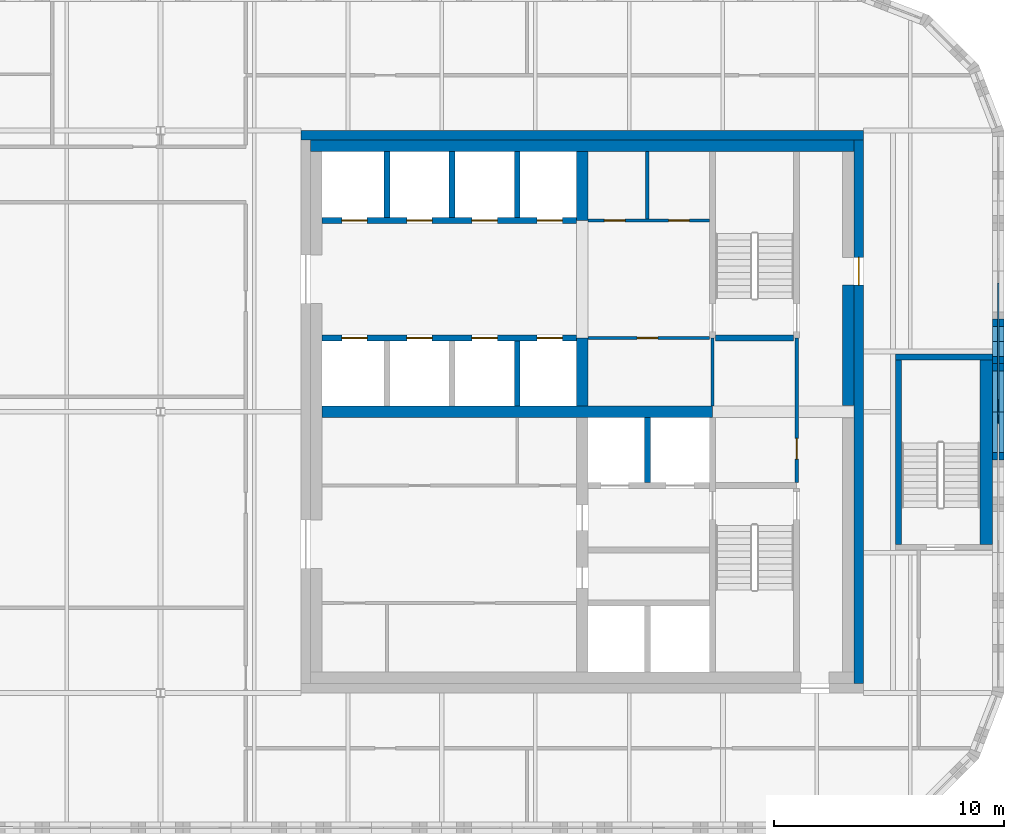
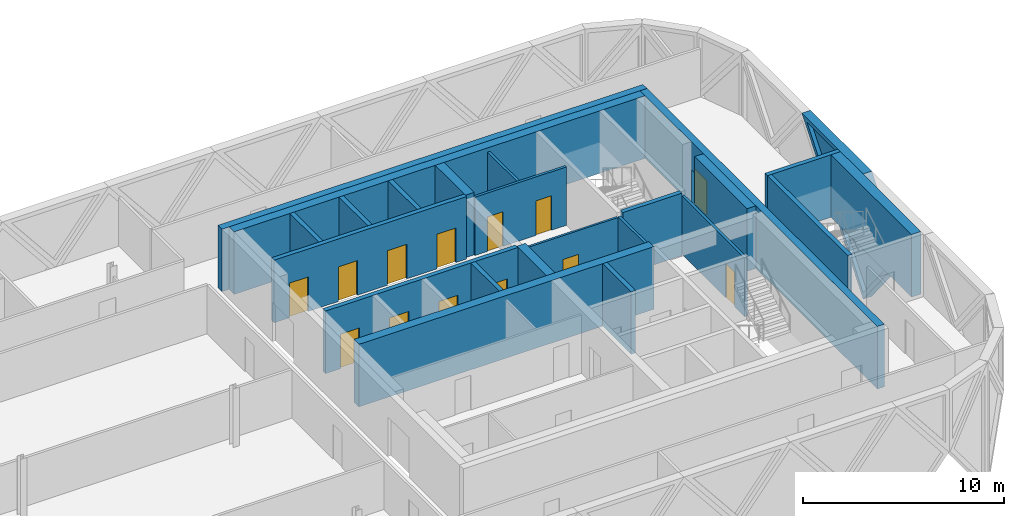
# One storey, part 8 of 12: 25 walls, 13 doors, 2 plates, 15 openings.
"""IFC4 building model written with IfcOpenShell, lengths in metres."""

from ifc_helpers import new_model, si_unit, direction, frame, frame_2d, origin, place, context, subcontext, project, spatial, polyline, rectangle, outline, extrude, faceted_brep, source, transform, mapped, material, layer, layer_set, type_object, element, fill, save


model = new_model("IFC4")

# Units and contexts
model_context = context("Model", 3, precision=1e-05, world=origin(), true_north=direction((0.0, 1.0)))
body_context = subcontext(model_context, "Body", "Model", "MODEL_VIEW")
ifc_project = project(units=[si_unit("LENGTHUNIT", "METRE"), si_unit("AREAUNIT", "SQUARE_METRE"), si_unit("VOLUMEUNIT", "CUBIC_METRE"), si_unit("PLANEANGLEUNIT", "RADIAN"), si_unit("MASSUNIT", "GRAM", prefix="KILO")], contexts=[model_context])

# Site, building, storey
site_placement = place(None, origin())
site = spatial("IfcSite", under=ifc_project, at=site_placement, CompositionType="ELEMENT")
building_placement = place(site_placement, origin())
building = spatial("IfcBuilding", under=site, at=building_placement, Name="Tessera Gate Towers", CompositionType="ELEMENT")
storey_placement = place(building_placement, frame((0.0, 0.0, 255.89990234375)))
storey = spatial("IfcBuildingStorey", under=building, at=storey_placement, Name="L64", CompositionType="ELEMENT", Elevation=255.89990234375)

# Wall, openings, doors
ifc_material_1 = material(Name="Concrete C40/50", Category="concrete")
ifc_layer_1 = layer(ifc_material_1, 0.25)
ifc_layer_set_1 = layer_set([ifc_layer_1], Name="CORE ENCLOSURE WALL 250")
wall_type_1 = type_object("IfcWallType", Name="CORE ENCLOSURE WALL 250", PredefinedType="SOLIDWALL", material=ifc_layer_set_1)
wall_1_placement = place(storey_placement, frame((31.39990234375, 39.800048828125, 0.0), z_axis=(0.0, 0.0, 1.0), x_axis=(1.0, 0.0, 0.0)))
wall_1 = element("IfcWall", 1, at=wall_1_placement, inside=storey, type_object=wall_type_1, Name="L64 shaft and stair enclosure wall", PredefinedType="SOLIDWALL", context=body_context, shape_type="SweptSolid", body=[
    extrude(rectangle(XDim=11.050048828125, YDim=0.25, at=frame_2d((5.52490234375, 0.0))), origin(), (0.0, 0.0, 1.0), 3.800048828125),
])
shared_shape_1 = source(origin(), body_context, "Body", "SweptSolid", [
    extrude(rectangle(XDim=1.10009765625, YDim=2.10009765625, at=frame_2d((0.550048828125, 1.050048828125))), frame((0.0, 0.135009765625, 0.0), z_axis=(0.0, -1.0, 0.0), x_axis=(1.0, 0.0, 0.0)), (0.0, 0.0, 1.0), 0.27001953125),
])
opening_1_placement = place(wall_1_placement, frame((0.862548828125, 0.0, 0.0)))
opening_1 = element("IfcOpeningElement", 2, at=opening_1_placement, cuts=wall_1, Name="Opening LD-HR1", PredefinedType="OPENING", context=body_context, shape_type="MappedRepresentation", body=[
    mapped(shared_shape_1, transform((0.0, 0.0, 0.0), scale=1.0)),
])
opening_2_placement = place(wall_1_placement, frame((3.6875, 0.0, 0.0)))
opening_2 = element("IfcOpeningElement", 3, at=opening_2_placement, cuts=wall_1, Name="Opening LD-HR2", PredefinedType="OPENING", context=body_context, shape_type="MappedRepresentation", body=[
    mapped(shared_shape_1, transform((0.0, 0.0, 0.0), scale=1.0)),
])
opening_3_placement = place(wall_1_placement, frame((6.512451171875, 0.0, 0.0)))
opening_3 = element("IfcOpeningElement", 4, at=opening_3_placement, cuts=wall_1, Name="Opening LD-HR3", PredefinedType="OPENING", context=body_context, shape_type="MappedRepresentation", body=[
    mapped(shared_shape_1, transform((0.0, 0.0, 0.0), scale=1.0)),
])
opening_4_placement = place(wall_1_placement, frame((9.33740234375, 0.0, 0.0)))
opening_4 = element("IfcOpeningElement", 5, at=opening_4_placement, cuts=wall_1, Name="Opening LD-HR4", PredefinedType="OPENING", context=body_context, shape_type="MappedRepresentation", body=[
    mapped(shared_shape_1, transform((0.0, 0.0, 0.0), scale=1.0)),
])
ifc_material_2 = material(Name="Stainless steel", Category="steel")
door_type_1 = type_object("IfcDoorType", Name="CORE DOOR LD 1100x2100", OperationType="DOUBLE_DOOR_SLIDING", PredefinedType="DOOR", material=ifc_material_2)
shared_shape_2 = source(origin(), body_context, "Body", "SweptSolid", [
    extrude(rectangle(XDim=1.10009765625, YDim=2.10009765625, at=frame_2d((0.550048828125, 1.050048828125))), frame((0.0, 0.02490234375, 0.0), z_axis=(0.0, -1.0, 0.0), x_axis=(1.0, 0.0, 0.0)), (0.0, 0.0, 1.0), 0.050048828125),
])
door_1_placement = place(opening_1_placement, origin())
door_1 = element("IfcDoor", 6, at=door_1_placement, inside=storey, type_object=door_type_1, Name="Landing door HR1 L64", OperationType="DOUBLE_DOOR_SLIDING", OverallHeight=2.10009765625, OverallWidth=1.10009765625, PredefinedType="DOOR", context=body_context, shape_type="MappedRepresentation", body=[
    mapped(shared_shape_2, transform((0.0, 0.0, 0.0), scale=1.0)),
])
fill(opening_1, door_1)
door_2_placement = place(opening_2_placement, origin())
door_2 = element("IfcDoor", 7, at=door_2_placement, inside=storey, type_object=door_type_1, Name="Landing door HR2 L64", OperationType="DOUBLE_DOOR_SLIDING", OverallHeight=2.10009765625, OverallWidth=1.10009765625, PredefinedType="DOOR", context=body_context, shape_type="MappedRepresentation", body=[
    mapped(shared_shape_2, transform((0.0, 0.0, 0.0), scale=1.0)),
])
fill(opening_2, door_2)
door_3_placement = place(opening_3_placement, origin())
door_3 = element("IfcDoor", 8, at=door_3_placement, inside=storey, type_object=door_type_1, Name="Landing door HR3 L64", OperationType="DOUBLE_DOOR_SLIDING", OverallHeight=2.10009765625, OverallWidth=1.10009765625, PredefinedType="DOOR", context=body_context, shape_type="MappedRepresentation", body=[
    mapped(shared_shape_2, transform((0.0, 0.0, 0.0), scale=1.0)),
])
fill(opening_3, door_3)
door_4_placement = place(opening_4_placement, origin())
door_4 = element("IfcDoor", 9, at=door_4_placement, inside=storey, type_object=door_type_1, Name="Landing door HR4 L64", OperationType="DOUBLE_DOOR_SLIDING", OverallHeight=2.10009765625, OverallWidth=1.10009765625, PredefinedType="DOOR", context=body_context, shape_type="MappedRepresentation", body=[
    mapped(shared_shape_2, transform((0.0, 0.0, 0.0), scale=1.0)),
])
fill(opening_4, door_4)

wall_2_placement = place(storey_placement, frame((42.449951171875, 44.89990234375, 0.0), z_axis=(0.0, 0.0, 1.0), x_axis=(-1.0, 0.0, 0.0)))
wall_2 = element("IfcWall", 10, at=wall_2_placement, inside=storey, type_object=wall_type_1, Name="L64 shaft and stair enclosure wall", PredefinedType="SOLIDWALL", context=body_context, shape_type="SweptSolid", body=[
    extrude(rectangle(XDim=11.050048828125, YDim=0.25, at=frame_2d((5.52490234375, 0.0))), origin(), (0.0, 0.0, 1.0), 3.800048828125),
])
opening_5_placement = place(wall_2_placement, frame((9.08740234375, 0.0, 0.0)))
opening_5 = element("IfcOpeningElement", 11, at=opening_5_placement, cuts=wall_2, Name="Opening LD-HR5", PredefinedType="OPENING", context=body_context, shape_type="MappedRepresentation", body=[
    mapped(shared_shape_1, transform((0.0, 0.0, 0.0), scale=1.0)),
])
opening_6_placement = place(wall_2_placement, frame((6.262451171875, 0.0, 0.0)))
opening_6 = element("IfcOpeningElement", 12, at=opening_6_placement, cuts=wall_2, Name="Opening LD-HR6", PredefinedType="OPENING", context=body_context, shape_type="MappedRepresentation", body=[
    mapped(shared_shape_1, transform((0.0, 0.0, 0.0), scale=1.0)),
])
opening_7_placement = place(wall_2_placement, frame((3.4375, 0.0, 0.0)))
opening_7 = element("IfcOpeningElement", 13, at=opening_7_placement, cuts=wall_2, Name="Opening LD-HR7", PredefinedType="OPENING", context=body_context, shape_type="MappedRepresentation", body=[
    mapped(shared_shape_1, transform((0.0, 0.0, 0.0), scale=1.0)),
])
opening_8_placement = place(wall_2_placement, frame((0.612548828125, 0.0, 0.0)))
opening_8 = element("IfcOpeningElement", 14, at=opening_8_placement, cuts=wall_2, Name="Opening LD-HR8", PredefinedType="OPENING", context=body_context, shape_type="MappedRepresentation", body=[
    mapped(shared_shape_1, transform((0.0, 0.0, 0.0), scale=1.0)),
])
door_5_placement = place(opening_5_placement, origin())
door_5 = element("IfcDoor", 15, at=door_5_placement, inside=storey, type_object=door_type_1, Name="Landing door HR5 L64", OperationType="DOUBLE_DOOR_SLIDING", OverallHeight=2.10009765625, OverallWidth=1.10009765625, PredefinedType="DOOR", context=body_context, shape_type="MappedRepresentation", body=[
    mapped(shared_shape_2, transform((0.0, 0.0, 0.0), scale=1.0)),
])
fill(opening_5, door_5)
door_6_placement = place(opening_6_placement, origin())
door_6 = element("IfcDoor", 16, at=door_6_placement, inside=storey, type_object=door_type_1, Name="Landing door HR6 L64", OperationType="DOUBLE_DOOR_SLIDING", OverallHeight=2.10009765625, OverallWidth=1.10009765625, PredefinedType="DOOR", context=body_context, shape_type="MappedRepresentation", body=[
    mapped(shared_shape_2, transform((0.0, 0.0, 0.0), scale=1.0)),
])
fill(opening_6, door_6)
door_7_placement = place(opening_7_placement, origin())
door_7 = element("IfcDoor", 17, at=door_7_placement, inside=storey, type_object=door_type_1, Name="Landing door HR7 L64", OperationType="DOUBLE_DOOR_SLIDING", OverallHeight=2.10009765625, OverallWidth=1.10009765625, PredefinedType="DOOR", context=body_context, shape_type="MappedRepresentation", body=[
    mapped(shared_shape_2, transform((0.0, 0.0, 0.0), scale=1.0)),
])
fill(opening_7, door_7)
door_8_placement = place(opening_8_placement, origin())
door_8 = element("IfcDoor", 18, at=door_8_placement, inside=storey, type_object=door_type_1, Name="Landing door HR8 L64", OperationType="DOUBLE_DOOR_SLIDING", OverallHeight=2.10009765625, OverallWidth=1.10009765625, PredefinedType="DOOR", context=body_context, shape_type="MappedRepresentation", body=[
    mapped(shared_shape_2, transform((0.0, 0.0, 0.0), scale=1.0)),
])
fill(opening_8, door_8)

# Walls
wall_3_placement = place(storey_placement, frame((48.47509765625, 39.800048828125, 0.0), z_axis=(0.0, 0.0, 1.0), x_axis=(1.0, 0.0, 0.0)))
element("IfcWall", 19, at=wall_3_placement, inside=storey, type_object=wall_type_1, Name="L64 shaft and stair enclosure wall", PredefinedType="SOLIDWALL", context=body_context, shape_type="SweptSolid", body=[
    extrude(rectangle(XDim=3.39990234375, YDim=0.25, at=frame_2d((1.699951171875, 0.0))), origin(), (0.0, 0.0, 1.0), 3.800048828125),
])
wall_4_placement = place(storey_placement, frame((39.875, 36.85009765625, 0.0), z_axis=(0.0, 0.0, 1.0), x_axis=(0.0, 1.0, 0.0)))
element("IfcWall", 20, at=wall_4_placement, inside=storey, type_object=wall_type_1, Name="L64 shaft and stair enclosure wall", PredefinedType="SOLIDWALL", context=body_context, shape_type="SweptSolid", body=[
    extrude(rectangle(XDim=2.824951171875, YDim=0.25, at=frame_2d((1.41259765625, 0.0))), origin(), (0.0, 0.0, 1.0), 3.800048828125),
])
wall_5_placement = place(storey_placement, frame((45.52490234375, 33.52490234375, 0.0), z_axis=(0.0, 0.0, 1.0), x_axis=(0.0, 1.0, 0.0)))
element("IfcWall", 21, at=wall_5_placement, inside=storey, type_object=wall_type_1, Name="L64 shaft and stair enclosure wall", PredefinedType="SOLIDWALL", context=body_context, shape_type="SweptSolid", body=[
    extrude(rectangle(XDim=2.8251953125, YDim=0.25, at=frame_2d((1.41259765625, 0.0))), origin(), (0.0, 0.0, 1.0), 3.800048828125),
])
for number, where, z_axis, x_axis, name in (
    (22, (34.22509765625, 45.02490234375, 0.0), (0.0, 0.0, 1.0), (0.0, 1.0, 0.0), "L64 shaft and stair enclosure wall"),
    (23, (37.050048828125, 45.02490234375, 0.0), (0.0, 0.0, 1.0), (0.0, 1.0, 0.0), "L64 shaft and stair enclosure wall"),
    (24, (39.875, 45.02490234375, 0.0), (0.0, 0.0, 1.0), (0.0, 1.0, 0.0), "L64 shaft and stair enclosure wall"),
):
    element("IfcWall", number, at=place(storey_placement, frame(where, z_axis=z_axis, x_axis=x_axis)), inside=storey, type_object=wall_type_1, Name=name, PredefinedType="SOLIDWALL", context=body_context, shape_type="SweptSolid", body=[
        extrude(rectangle(XDim=2.875, YDim=0.25, at=frame_2d((1.4375, 0.0))), origin(), (0.0, 0.0, 1.0), 3.800048828125),
    ])
wall_6_placement = place(storey_placement, frame((56.425048828125, 30.85009765625, 0.0), z_axis=(0.0, 0.0, 1.0), x_axis=(0.0, 1.0, 0.0)))
element("IfcWall", 25, at=wall_6_placement, inside=storey, type_object=wall_type_1, Name="L64 ST5 enclosure wall", PredefinedType="SOLIDWALL", context=body_context, shape_type="SweptSolid", body=[
    extrude(rectangle(XDim=8.0, YDim=0.25, at=frame_2d((4.0, 0.0))), origin(), (0.0, 0.0, 1.0), 3.800048828125),
])
wall_7_placement = place(storey_placement, frame((56.300048828125, 38.97509765625, 0.0), z_axis=(0.0, 0.0, 1.0), x_axis=(1.0, 0.0, 0.0)))
element("IfcWall", 26, at=wall_7_placement, inside=storey, type_object=wall_type_1, Name="L64 ST5 enclosure wall", PredefinedType="SOLIDWALL", context=body_context, shape_type="SweptSolid", body=[
    extrude(rectangle(XDim=4.199951171875, YDim=0.25, at=frame_2d((2.10009765625, 0.0))), origin(), (0.0, 0.0, 1.0), 3.800048828125),
])
ifc_material_3 = material(Name="Concrete C40/50", Category="concrete")
ifc_layer_2 = layer(ifc_material_3, 0.550048828125)
ifc_layer_set_2 = layer_set([ifc_layer_2], Name="CORE ENCLOSURE WALL 550")
wall_type_2 = type_object("IfcWallType", Name="CORE ENCLOSURE WALL 550", PredefinedType="SOLIDWALL", material=ifc_layer_set_2)
wall_8_placement = place(storey_placement, frame((60.22509765625, 38.85009765625, 0.0), z_axis=(0.0, 0.0, 1.0), x_axis=(0.0, -1.0, 0.0)))
element("IfcWall", 27, at=wall_8_placement, inside=storey, type_object=wall_type_2, Name="L64 ST5 enclosure wall", PredefinedType="SOLIDWALL", context=body_context, shape_type="SweptSolid", body=[
    extrude(rectangle(XDim=8.0, YDim=0.550048828125, at=frame_2d((4.0, 0.0))), origin(), (0.0, 0.0, 1.0), 3.800048828125),
])

# Wall, opening, door
ifc_material_4 = material(Name="Gypsum board on steel studs", Category="steel")
ifc_layer_3 = layer(ifc_material_4, 0.1201171875)
ifc_layer_set_3 = layer_set([ifc_layer_3], Name="CORE PARTITION 120")
wall_type_3 = type_object("IfcWallType", Name="CORE PARTITION 120", PredefinedType="PARTITIONING", material=ifc_layer_set_3)
wall_9_placement = place(storey_placement, frame((48.22509765625, 39.800048828125, 0.0), z_axis=(0.0, 0.0, 1.0), x_axis=(-1.0, 0.0, 0.0)))
wall_9 = element("IfcWall", 28, at=wall_9_placement, inside=storey, type_object=wall_type_3, Name="L64 core partition", PredefinedType="PARTITIONING", context=body_context, shape_type="SweptSolid", body=[
    extrude(rectangle(XDim=5.275146484375, YDim=0.1201171875, at=frame_2d((2.6376953125, 0.0))), origin(), (0.0, 0.0, 1.0), 3.550048828125),
])
shared_shape_3 = source(origin(), body_context, "Body", "SweptSolid", [
    extrude(rectangle(XDim=0.89990234375, YDim=2.10009765625, at=frame_2d((0.449951171875, 1.050048828125))), frame((0.0, 0.070068359375, 0.0), z_axis=(0.0, -1.0, 0.0), x_axis=(1.0, 0.0, 0.0)), (0.0, 0.0, 1.0), 0.14013671875),
])
opening_9_placement = place(wall_9_placement, frame((2.25, 0.0, 0.0)))
opening_9 = element("IfcOpeningElement", 29, at=opening_9_placement, cuts=wall_9, Name="Opening RD-T1-38-12", PredefinedType="OPENING", context=body_context, shape_type="MappedRepresentation", body=[
    mapped(shared_shape_3, transform((0.0, 0.0, 0.0), scale=1.0)),
])
ifc_material_5 = material(Name="Hollow steel fire door", Category="steel")
door_type_2 = type_object("IfcDoorType", Name="CORE DOOR RD 900x2100", OperationType="NOTDEFINED", PredefinedType="DOOR", material=ifc_material_5)
shared_shape_4 = source(origin(), body_context, "Body", "SweptSolid", [
    extrude(rectangle(XDim=0.89990234375, YDim=2.10009765625, at=frame_2d((0.449951171875, 1.050048828125))), frame((0.0, 0.02490234375, 0.0), z_axis=(0.0, -1.0, 0.0), x_axis=(1.0, 0.0, 0.0)), (0.0, 0.0, 1.0), 0.050048828125),
])
door_9_placement = place(opening_9_placement, origin())
door_9 = element("IfcDoor", 30, at=door_9_placement, inside=storey, type_object=door_type_2, Name="Core room door", OperationType="SINGLE_SWING_RIGHT", OverallHeight=2.10009765625, OverallWidth=0.89990234375, PredefinedType="DOOR", context=body_context, shape_type="MappedRepresentation", body=[
    mapped(shared_shape_4, transform((0.0, 0.0, 0.0), scale=1.0)),
])
fill(opening_9, door_9)

# Wall
ifc_material_6 = material(Name="Concrete C40/50", Category="concrete")
ifc_layer_4 = layer(ifc_material_6, 0.39990234375)
ifc_layer_set_4 = layer_set([ifc_layer_4], Name="CORE SHEAR WALL 400 C40/50")
wall_type_4 = type_object("IfcWallType", Name="CORE SHEAR WALL 400 C40/50", PredefinedType="SHEAR", material=ifc_layer_set_4)
wall_10_placement = place(storey_placement, frame((30.5, 48.60009765625, 0.0), z_axis=(0.0, 0.0, 1.0), x_axis=(1.0, 0.0, 0.0)))
element("IfcWall", 31, at=wall_10_placement, inside=storey, type_object=wall_type_4, Name="Core wall N L64", PredefinedType="SHEAR", context=body_context, shape_type="SweptSolid", body=[
    extrude(rectangle(XDim=24.39990234375, YDim=0.39990234375, at=frame_2d((12.199951171875, 0.0))), origin(), (0.0, 0.0, 1.0), 3.800048828125),
])

# Wall, opening, door
wall_11_placement = place(storey_placement, frame((54.699951171875, 48.39990234375, 0.0), z_axis=(0.0, 0.0, 1.0), x_axis=(0.0, -1.0, 0.0)))
wall_11 = element("IfcWall", 32, at=wall_11_placement, inside=storey, type_object=wall_type_4, Name="Core wall E L64", PredefinedType="SHEAR", context=body_context, shape_type="SweptSolid", body=[
    extrude(rectangle(XDim=23.599853515625, YDim=0.39990234375, at=frame_2d((11.7998046875, 0.0))), origin(), (0.0, 0.0, 1.0), 3.800048828125),
])
shared_shape_5 = source(origin(), body_context, "Body", "SweptSolid", [
    extrude(rectangle(XDim=1.199951171875, YDim=2.10009765625, at=frame_2d((0.60009765625, 1.050048828125))), frame((0.0, 0.2099609375, 0.0), z_axis=(0.0, -1.0, 0.0), x_axis=(1.0, 0.0, 0.0)), (0.0, 0.0, 1.0), 0.419921875),
])
opening_10_placement = place(wall_11_placement, frame((5.10009765625, 0.0, 0.0)))
opening_10 = element("IfcOpeningElement", 33, at=opening_10_placement, cuts=wall_11, Name="Opening ED-T1-38-04", PredefinedType="OPENING", context=body_context, shape_type="MappedRepresentation", body=[
    mapped(shared_shape_5, transform((0.0, 0.0, 0.0), scale=1.0)),
])
ifc_material_7 = material(Name="Hollow steel fire door", Category="steel")
door_type_3 = type_object("IfcDoorType", Name="CORE DOOR ED 1200x2100", OperationType="NOTDEFINED", PredefinedType="DOOR", material=ifc_material_7)
shared_shape_6 = source(origin(), body_context, "Body", "SweptSolid", [
    extrude(rectangle(XDim=1.199951171875, YDim=2.10009765625, at=frame_2d((0.60009765625, 1.050048828125))), frame((0.0, 0.02490234375, 0.0), z_axis=(0.0, -1.0, 0.0), x_axis=(1.0, 0.0, 0.0)), (0.0, 0.0, 1.0), 0.050048828125),
])
door_10_placement = place(opening_10_placement, origin())
door_10 = element("IfcDoor", 34, at=door_10_placement, inside=storey, type_object=door_type_3, Name="Core exit door", OperationType="SINGLE_SWING_LEFT", OverallHeight=2.10009765625, OverallWidth=1.199951171875, PredefinedType="DOOR", context=body_context, shape_type="MappedRepresentation", body=[
    mapped(shared_shape_6, transform((0.0, 0.0, 0.0), scale=1.0)),
])
fill(opening_10, door_10)

# Walls
ifc_material_8 = material(Name="Concrete C40/50", Category="concrete")
ifc_layer_5 = layer(ifc_material_8, 0.5)
ifc_layer_set_5 = layer_set([ifc_layer_5], Name="CORE SPINE WALL 500 C40/50")
wall_type_5 = type_object("IfcWallType", Name="CORE SPINE WALL 500 C40/50", PredefinedType="SHEAR", material=ifc_layer_set_5)
wall_12_placement = place(storey_placement, frame((31.39990234375, 36.60009765625, 0.0), z_axis=(0.0, 0.0, 1.0), x_axis=(1.0, 0.0, 0.0)))
element("IfcWall", 35, at=wall_12_placement, inside=storey, type_object=wall_type_5, Name="Core wall spine L64", PredefinedType="SHEAR", context=body_context, shape_type="SweptSolid", body=[
    extrude(rectangle(XDim=16.9501953125, YDim=0.5, at=frame_2d((8.47509765625, 0.0))), origin(), (0.0, 0.0, 1.0), 3.800048828125),
])
wall_13_placement = place(storey_placement, frame((42.699951171875, 36.85009765625, 0.0), z_axis=(0.0, 0.0, 1.0), x_axis=(0.0, 1.0, 0.0)))
element("IfcWall", 36, at=wall_13_placement, inside=storey, type_object=wall_type_5, Name="Core wall spine L64", PredefinedType="SHEAR", context=body_context, shape_type="SweptSolid", body=[
    extrude(rectangle(XDim=2.949951171875, YDim=0.5, at=frame_2d((1.47509765625, 0.0))), origin(), (0.0, 0.0, 1.0), 3.800048828125),
])
wall_14_placement = place(storey_placement, frame((42.699951171875, 44.89990234375, 0.0), z_axis=(0.0, 0.0, 1.0), x_axis=(0.0, 1.0, 0.0)))
element("IfcWall", 37, at=wall_14_placement, inside=storey, type_object=wall_type_5, Name="Core wall spine L64", PredefinedType="SHEAR", context=body_context, shape_type="SweptSolid", body=[
    extrude(rectangle(XDim=3.0, YDim=0.5, at=frame_2d((1.5, 0.0))), origin(), (0.0, 0.0, 1.0), 3.800048828125),
])
ifc_material_9 = material(Name="Concrete C40/50", Category="concrete")
ifc_layer_6 = layer(ifc_material_9, 0.5)
ifc_layer_set_6 = layer_set([ifc_layer_6], Name="CORE WALL THICKENING 500")
wall_type_6 = type_object("IfcWallType", Name="CORE WALL THICKENING 500", PredefinedType="SOLIDWALL", material=ifc_layer_set_6)
wall_15_placement = place(storey_placement, frame((30.89990234375, 48.14990234375, 0.0), z_axis=(0.0, 0.0, 1.0), x_axis=(1.0, 0.0, 0.0)))
element("IfcWall", 38, at=wall_15_placement, inside=storey, type_object=wall_type_6, Name="Core wall thickening N L64", PredefinedType="SOLIDWALL", context=body_context, shape_type="SweptSolid", body=[
    extrude(rectangle(XDim=23.60009765625, YDim=0.5, at=frame_2d((11.800048828125, 0.0))), origin(), (0.0, 0.0, 1.0), 3.800048828125),
])
wall_16_placement = place(storey_placement, frame((54.25, 36.8798828125, 0.0), z_axis=(0.0, 0.0, 1.0), x_axis=(0.0, 1.0, 0.0)))
element("IfcWall", 39, at=wall_16_placement, inside=storey, type_object=wall_type_6, Name="Core wall thickening E L64", PredefinedType="SOLIDWALL", context=body_context, shape_type="SweptSolid", body=[
    extrude(rectangle(XDim=5.22021484375, YDim=0.5, at=frame_2d((2.610107421875, 0.0))), origin(), (0.0, 0.0, 1.0), 3.800048828125),
])

# Wall, opening, door
ifc_material_10 = material(Name="Gypsum board on steel studs", Category="steel")
ifc_layer_7 = layer(ifc_material_10, 0.14990234375)
ifc_layer_set_7 = layer_set([ifc_layer_7], Name="SERVICE ROOM WALL 150")
wall_type_7 = type_object("IfcWallType", Name="SERVICE ROOM WALL 150", PredefinedType="PARTITIONING", material=ifc_layer_set_7)
wall_17_placement = place(storey_placement, frame((52.0, 33.52490234375, 0.0), z_axis=(0.0, 0.0, 1.0), x_axis=(0.0, 1.0, 0.0)))
wall_17 = element("IfcWall", 40, at=wall_17_placement, inside=storey, type_object=wall_type_7, Name="L64 service room wall", PredefinedType="PARTITIONING", context=body_context, shape_type="SweptSolid", body=[
    extrude(rectangle(XDim=6.275146484375, YDim=0.14990234375, at=frame_2d((3.1376953125, 0.0))), origin(), (0.0, 0.0, 1.0), 3.550048828125),
])
shared_shape_7 = source(origin(), body_context, "Body", "SweptSolid", [
    extrude(rectangle(XDim=0.89990234375, YDim=2.10009765625, at=frame_2d((0.449951171875, 1.050048828125))), frame((0.0, 0.0849609375, 0.0), z_axis=(0.0, -1.0, 0.0), x_axis=(1.0, 0.0, 0.0)), (0.0, 0.0, 1.0), 0.169921875),
])
opening_11_placement = place(wall_17_placement, frame((1.02490234375, 0.0, 0.0)))
opening_11 = element("IfcOpeningElement", 41, at=opening_11_placement, cuts=wall_17, Name="Opening RD-T1-38-11", PredefinedType="OPENING", context=body_context, shape_type="MappedRepresentation", body=[
    mapped(shared_shape_7, transform((0.0, 0.0, 0.0), scale=1.0)),
])
door_11_placement = place(opening_11_placement, origin())
door_11 = element("IfcDoor", 42, at=door_11_placement, inside=storey, type_object=door_type_2, Name="Core room door", OperationType="SINGLE_SWING_LEFT", OverallHeight=2.10009765625, OverallWidth=0.89990234375, PredefinedType="DOOR", context=body_context, shape_type="MappedRepresentation", body=[
    mapped(shared_shape_4, transform((0.0, 0.0, 0.0), scale=1.0)),
])
fill(opening_11, door_11)

# Wall, openings, doors
wall_18_placement = place(storey_placement, frame((42.949951171875, 44.89990234375, 0.0), z_axis=(0.0, 0.0, 1.0), x_axis=(1.0, 0.0, 0.0)))
wall_18 = element("IfcWall", 43, at=wall_18_placement, inside=storey, type_object=wall_type_7, Name="L64 service room wall", PredefinedType="PARTITIONING", context=body_context, shape_type="SweptSolid", body=[
    extrude(rectangle(XDim=5.275146484375, YDim=0.14990234375, at=frame_2d((2.6376953125, 0.0))), origin(), (0.0, 0.0, 1.0), 3.550048828125),
])
opening_12_placement = place(wall_18_placement, frame((0.71240234375, 0.0, 0.0)))
opening_12 = element("IfcOpeningElement", 44, at=opening_12_placement, cuts=wall_18, Name="Opening RD-T1-38-13", PredefinedType="OPENING", context=body_context, shape_type="MappedRepresentation", body=[
    mapped(shared_shape_7, transform((0.0, 0.0, 0.0), scale=1.0)),
])
opening_13_placement = place(wall_18_placement, frame((3.5, 0.0, 0.0)))
opening_13 = element("IfcOpeningElement", 45, at=opening_13_placement, cuts=wall_18, Name="Opening RD-T1-38-14", PredefinedType="OPENING", context=body_context, shape_type="MappedRepresentation", body=[
    mapped(shared_shape_7, transform((0.0, 0.0, 0.0), scale=1.0)),
])
door_12_placement = place(opening_12_placement, origin())
door_12 = element("IfcDoor", 46, at=door_12_placement, inside=storey, type_object=door_type_2, Name="Core room door", OperationType="SINGLE_SWING_LEFT", OverallHeight=2.10009765625, OverallWidth=0.89990234375, PredefinedType="DOOR", context=body_context, shape_type="MappedRepresentation", body=[
    mapped(shared_shape_4, transform((0.0, 0.0, 0.0), scale=1.0)),
])
fill(opening_12, door_12)
door_13_placement = place(opening_13_placement, origin())
door_13 = element("IfcDoor", 47, at=door_13_placement, inside=storey, type_object=door_type_2, Name="Core room door", OperationType="SINGLE_SWING_RIGHT", OverallHeight=2.10009765625, OverallWidth=0.89990234375, PredefinedType="DOOR", context=body_context, shape_type="MappedRepresentation", body=[
    mapped(shared_shape_4, transform((0.0, 0.0, 0.0), scale=1.0)),
])
fill(opening_13, door_13)

# Walls
wall_19_placement = place(storey_placement, frame((48.35009765625, 36.85009765625, 0.0), z_axis=(0.0, 0.0, 1.0), x_axis=(0.0, 1.0, 0.0)))
element("IfcWall", 48, at=wall_19_placement, inside=storey, type_object=wall_type_7, Name="L64 service room wall", PredefinedType="PARTITIONING", context=body_context, shape_type="SweptSolid", body=[
    extrude(rectangle(XDim=2.949951171875, YDim=0.14990234375, at=frame_2d((1.47509765625, 0.0))), origin(), (0.0, 0.0, 1.0), 3.550048828125),
])
wall_20_placement = place(storey_placement, frame((45.52490234375, 44.97509765625, 0.0), z_axis=(0.0, 0.0, 1.0), x_axis=(0.0, 1.0, 0.0)))
element("IfcWall", 49, at=wall_20_placement, inside=storey, type_object=wall_type_7, Name="L64 service room wall", PredefinedType="PARTITIONING", context=body_context, shape_type="SweptSolid", body=[
    extrude(rectangle(XDim=2.9248046875, YDim=0.14990234375, at=frame_2d((1.46240234375, 0.0))), origin(), (0.0, 0.0, 1.0), 3.550048828125),
])

# Wall, opening, plate
ifc_material_11 = material(Name="Precast concrete C60/75 white", Category="concrete")
ifc_layer_8 = layer(ifc_material_11, 0.5)
ifc_layer_set_8 = layer_set([ifc_layer_8], Name="TS1 tessera")
wall_type_8 = type_object("IfcWallType", Name="TS1 tessera", PredefinedType="SOLIDWALL", material=ifc_layer_set_8)
shared_shape_8 = source(origin(), body_context, "Body", "Brep", [
    faceted_brep([(3.050048828125, -0.25, 0.0), (6.099853515625, -0.25, 3.799560546875), (6.099853515625, -0.25, 3.800048828125), (3.050048828125, -0.25, 7.599853515625), (0.0, -0.25, 3.7998046875), (0.0, 0.25, 3.7998046875), (3.050048828125, 0.25, 7.599853515625), (6.099853515625, 0.25, 3.800048828125), (6.099853515625, 0.25, 3.799560546875), (3.050048828125, 0.25, 0.0)], [[[0, 1, 2, 3, 4]], [[5, 6, 7, 8, 9]], [[9, 8, 1, 0]], [[7, 6, 3, 2]], [[6, 5, 4, 3]], [[5, 9, 0, 4]], [[1, 8, 7, 2]]]),
])
wall_21_placement = place(storey_placement, frame((60.75, 33.550048828125, -3.7998046875), z_axis=(0.0, 0.0, 1.0), x_axis=(0.0, 1.0, 0.0)))
wall_21 = element("IfcWall", 50, at=wall_21_placement, inside=storey, type_object=wall_type_8, Name="Precast tessera T1 TS1-1132", PredefinedType="SOLIDWALL", context=body_context, shape_type="MappedRepresentation", body=[
    mapped(shared_shape_8, transform((0.0, 0.0, 0.0), scale=1.0)),
])
shared_shape_9 = source(origin(), body_context, "Body", "SweptSolid", [
    extrude(outline(polyline([(3.050048828125, 0.3994140625), (5.779541015625, 3.7998046875), (3.050048828125, 7.200439453125), (0.320556640625, 3.7998046875), (3.050048828125, 0.3994140625)])), frame((0.0, 0.260009765625, 0.0), z_axis=(0.0, -1.0, 0.0), x_axis=(1.0, 0.0, 0.0)), (0.0, 0.0, 1.0), 0.52001953125),
])
opening_14_placement = place(wall_21_placement, origin())
opening_14 = element("IfcOpeningElement", 51, at=opening_14_placement, cuts=wall_21, Name="Opening T1-PL2-2284", PredefinedType="OPENING", context=body_context, shape_type="MappedRepresentation", body=[
    mapped(shared_shape_9, transform((0.0, 0.0, 0.0), scale=1.0)),
])
ifc_material_12 = material(Name="Low-e laminated glass", Category="glass")
ifc_layer_9 = layer(ifc_material_12, 0.06005859375)
ifc_layer_set_9 = layer_set([ifc_layer_9], Name="PL2 rhombic pane")
plate_type_1 = type_object("IfcPlateType", Name="PL2 rhombic pane", PredefinedType="SHEET", material=ifc_layer_set_9)
shared_shape_10 = source(origin(), body_context, "Body", "SweptSolid", [
    extrude(outline(polyline([(3.050048828125, 0.3994140625), (5.779541015625, 3.7998046875), (3.050048828125, 7.200439453125), (0.320556640625, 3.7998046875), (3.050048828125, 0.3994140625)])), frame((0.0, 0.030029296875, 0.0), z_axis=(0.0, -1.0, 0.0), x_axis=(1.0, 0.0, 0.0)), (0.0, 0.0, 1.0), 0.06005859375),
])
plate_1_placement = place(opening_14_placement, origin())
plate_1 = element("IfcPlate", 52, at=plate_1_placement, inside=storey, type_object=plate_type_1, Name="Glass pane T1 PL2-2284", PredefinedType="SHEET", context=body_context, shape_type="MappedRepresentation", body=[
    mapped(shared_shape_10, transform((0.0, 0.0, 0.0), scale=1.0)),
])
fill(opening_14, plate_1)

ifc_material_13 = material(Name="Precast concrete C60/75 white", Category="concrete")
ifc_layer_10 = layer(ifc_material_13, 0.5)
ifc_layer_set_10 = layer_set([ifc_layer_10], Name="TS2 half tessera")
wall_type_9 = type_object("IfcWallType", Name="TS2 half tessera", PredefinedType="SOLIDWALL", material=ifc_layer_set_10)
shared_shape_11 = source(origin(), body_context, "Body", "Brep", [
    faceted_brep([(3.050048828125, -0.25, 0.0), (6.099853515625, -0.25, 3.7998046875), (6.099853515625, -0.25, 3.800048828125), (0.0, -0.25, 3.800048828125), (0.0, 0.25, 3.800048828125), (6.099853515625, 0.25, 3.800048828125), (6.099853515625, 0.25, 3.7998046875), (3.050048828125, 0.25, 0.0)], [[[0, 1, 2, 3]], [[4, 5, 6, 7]], [[7, 6, 1, 0]], [[5, 4, 3, 2]], [[4, 7, 0, 3]], [[1, 6, 5, 2]]]),
])
wall_22_placement = place(storey_placement, frame((60.75, 36.60009765625, 0.0), z_axis=(0.0, 0.0, 1.0), x_axis=(0.0, 1.0, 0.0)))
wall_22 = element("IfcWall", 53, at=wall_22_placement, inside=storey, type_object=wall_type_9, Name="Precast half tessera T1 TS2-0307", PredefinedType="SOLIDWALL", context=body_context, shape_type="MappedRepresentation", body=[
    mapped(shared_shape_11, transform((0.0, 0.0, 0.0), scale=1.0)),
])
shared_shape_12 = source(origin(), body_context, "Body", "SweptSolid", [
    extrude(outline(polyline([(3.050048828125, 0.3994140625), (5.578857421875, 3.550048828125), (0.521240234375, 3.550048828125), (3.050048828125, 0.3994140625)])), frame((0.0, 0.260009765625, 0.0), z_axis=(0.0, -1.0, 0.0), x_axis=(1.0, 0.0, 0.0)), (0.0, 0.0, 1.0), 0.52001953125),
])
opening_15_placement = place(wall_22_placement, origin())
opening_15 = element("IfcOpeningElement", 54, at=opening_15_placement, cuts=wall_22, Name="Opening T1-PL1-0623", PredefinedType="OPENING", context=body_context, shape_type="MappedRepresentation", body=[
    mapped(shared_shape_12, transform((0.0, 0.0, 0.0), scale=1.0)),
])
ifc_material_14 = material(Name="Low-e laminated glass", Category="glass")
ifc_layer_11 = layer(ifc_material_14, 0.06005859375)
ifc_layer_set_11 = layer_set([ifc_layer_11], Name="PL1 triangular pane")
plate_type_2 = type_object("IfcPlateType", Name="PL1 triangular pane", PredefinedType="SHEET", material=ifc_layer_set_11)
shared_shape_13 = source(origin(), body_context, "Body", "SweptSolid", [
    extrude(outline(polyline([(3.050048828125, 0.3994140625), (5.578857421875, 3.550048828125), (0.521240234375, 3.550048828125), (3.050048828125, 0.3994140625)])), frame((0.0, 0.030029296875, 0.0), z_axis=(0.0, -1.0, 0.0), x_axis=(1.0, 0.0, 0.0)), (0.0, 0.0, 1.0), 0.06005859375),
])
plate_2_placement = place(opening_15_placement, origin())
plate_2 = element("IfcPlate", 55, at=plate_2_placement, inside=storey, type_object=plate_type_2, Name="Glass pane T1 PL1-0623", PredefinedType="SHEET", context=body_context, shape_type="MappedRepresentation", body=[
    mapped(shared_shape_13, transform((0.0, 0.0, 0.0), scale=1.0)),
])
fill(opening_15, plate_2)

save(model, "model.ifc")
